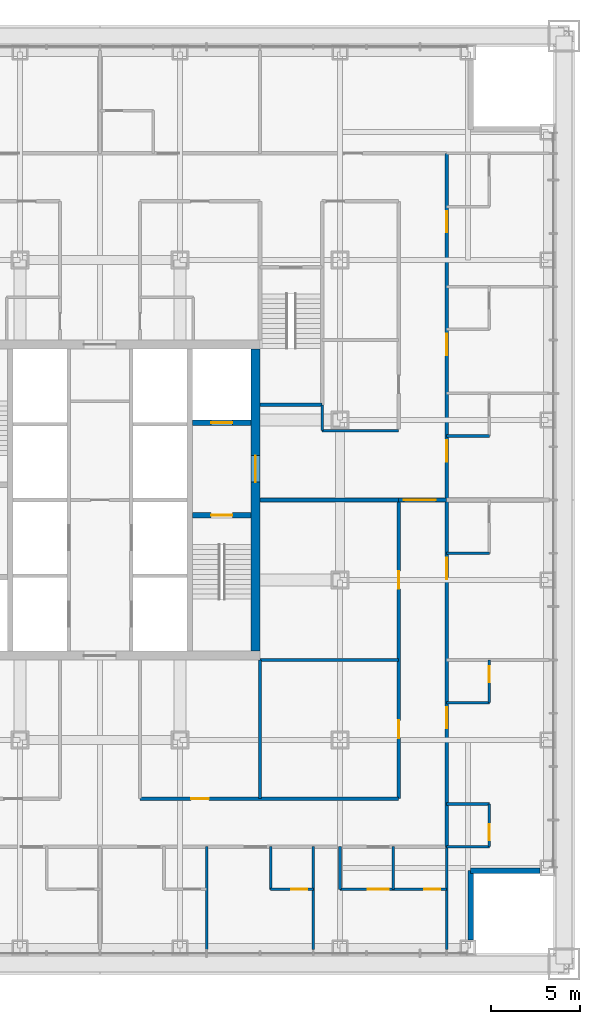
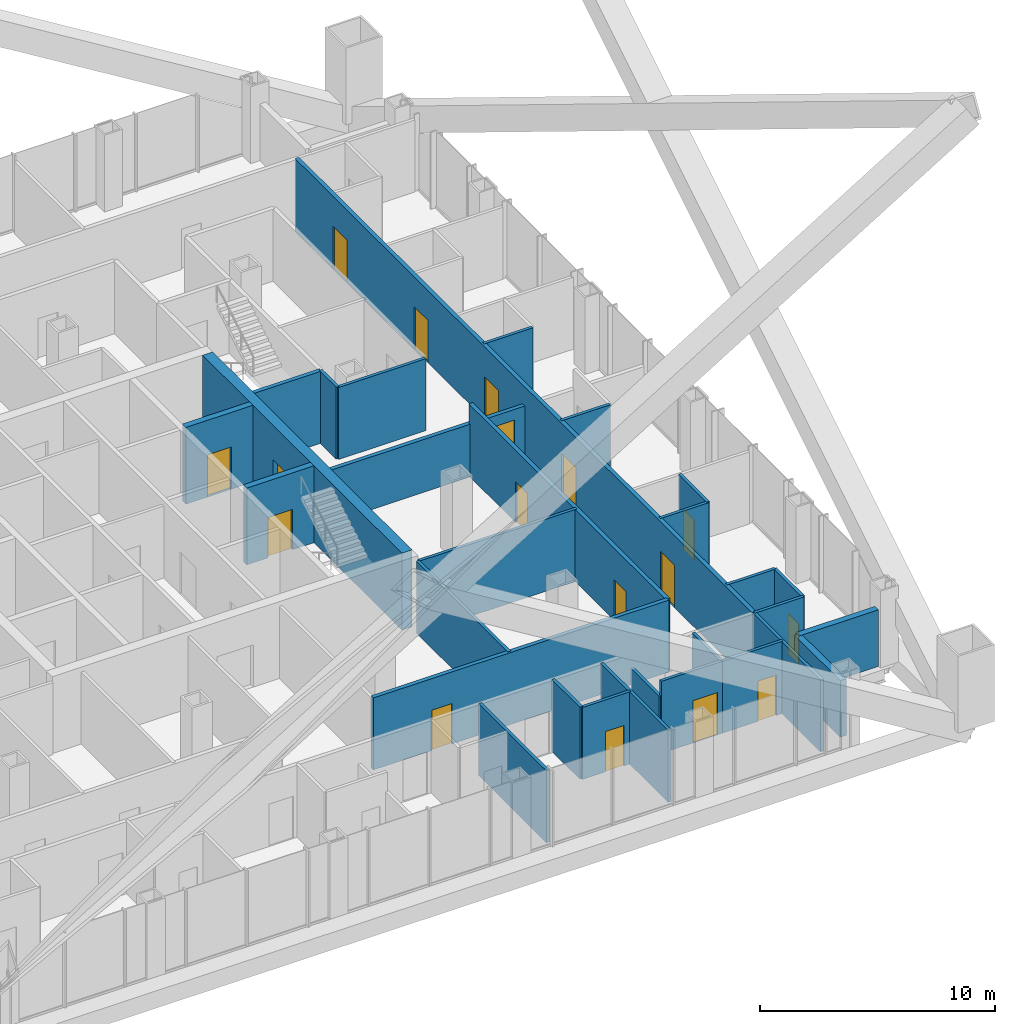
# One storey, part 14 of 21: 31 walls, 17 doors, 17 openings.
"""IFC4 building model written with IfcOpenShell, lengths in metres."""

from ifc_helpers import new_model, si_unit, direction, frame, frame_2d, origin, place, context, subcontext, project, spatial, rectangle, extrude, material, layer, layer_set, type_object, element, fill, save


model = new_model("IFC4")

# Units and contexts
model_context = context("Model", 3, precision=1e-05, world=origin(), true_north=direction((0.0, 1.0)))
body_context = subcontext(model_context, "Body", "Model", "MODEL_VIEW")
ifc_project = project(units=[si_unit("LENGTHUNIT", "METRE"), si_unit("AREAUNIT", "SQUARE_METRE"), si_unit("VOLUMEUNIT", "CUBIC_METRE"), si_unit("PLANEANGLEUNIT", "RADIAN"), si_unit("MASSUNIT", "GRAM", prefix="KILO")], contexts=[model_context])

# Site, building, storey
site_placement = place(None, origin())
site = spatial("IfcSite", under=ifc_project, at=site_placement, CompositionType="ELEMENT")
building_placement = place(site_placement, origin())
building = spatial("IfcBuilding", under=site, at=building_placement, Name="Malebo Sky Hospital", CompositionType="ELEMENT")
storey_placement = place(building_placement, frame((0.0, 0.0, 31.0)))
storey = spatial("IfcBuildingStorey", under=building, at=storey_placement, Name="L06", CompositionType="ELEMENT", Elevation=31.0)

# Wall, opening, door
ifc_material_1 = material(Name="Concrete C80/95", Category="concrete")
ifc_layer_1 = layer(ifc_material_1, 0.300048828125)
ifc_layer_set_1 = layer_set([ifc_layer_1], Name="CORE INNER WALL 300")
wall_type_1 = type_object("IfcWallType", Name="CORE INNER WALL 300", PredefinedType="SHEAR", material=ifc_layer_set_1)
wall_1_placement = place(storey_placement, frame((65.199951171875, 61.14990234375, 0.0), z_axis=(0.0, 0.0, 1.0), x_axis=(1.0, 0.0, 0.0)))
wall_1 = element("IfcWall", 1, at=wall_1_placement, inside=storey, type_object=wall_type_1, Name="Core wall E1 L06", PredefinedType="SHEAR", context=body_context, shape_type="SweptSolid", body=[
    extrude(rectangle(XDim=3.300048828125, YDim=0.300048828125, at=frame_2d((1.64990234375, 0.0))), origin(), (0.0, 0.0, 1.0), 4.0),
])
opening_1_placement = place(wall_1_placement, frame((1.050048828125, 0.0, 0.0)))
opening_1 = element("IfcOpeningElement", 2, at=opening_1_placement, cuts=wall_1, Name="Opening D08", PredefinedType="OPENING", context=body_context, shape_type="SweptSolid", body=[
    extrude(rectangle(XDim=1.199951171875, YDim=2.10009765625, at=frame_2d((0.60009765625, 1.050048828125))), frame((0.0, 0.159912109375, 0.0), z_axis=(0.0, -1.0, 0.0), x_axis=(1.0, 0.0, 0.0)), (0.0, 0.0, 1.0), 0.320068359375),
])
ifc_material_2 = material(Name="Hardwood-faced door leaf in steel frame", Category="steel")
door_type_1 = type_object("IfcDoorType", Name="STAIR DOOR 1200", OperationType="SINGLE_SWING_LEFT", PredefinedType="DOOR", material=ifc_material_2)
door_1_placement = place(opening_1_placement, origin())
door_1 = element("IfcDoor", 3, at=door_1_placement, inside=storey, type_object=door_type_1, Name="Stair S2 door", OperationType="SINGLE_SWING_LEFT", OverallHeight=2.10009765625, OverallWidth=1.199951171875, PredefinedType="DOOR", context=body_context, shape_type="SweptSolid", body=[
    extrude(rectangle(XDim=1.199951171875, YDim=2.10009765625, at=frame_2d((0.60009765625, 1.050048828125))), frame((0.0, 0.02490234375, 0.0), z_axis=(0.0, -1.0, 0.0), x_axis=(1.0, 0.0, 0.0)), (0.0, 0.0, 1.0), 0.050048828125),
])
fill(opening_1, door_1)

wall_2_placement = place(storey_placement, frame((65.199951171875, 66.35009765625, 0.0), z_axis=(0.0, 0.0, 1.0), x_axis=(1.0, 0.0, 0.0)))
wall_2 = element("IfcWall", 4, at=wall_2_placement, inside=storey, type_object=wall_type_1, Name="Core wall E2 L06", PredefinedType="SHEAR", context=body_context, shape_type="SweptSolid", body=[
    extrude(rectangle(XDim=3.300048828125, YDim=0.300048828125, at=frame_2d((1.64990234375, 0.0))), origin(), (0.0, 0.0, 1.0), 4.0),
])
opening_2_placement = place(wall_2_placement, frame((1.050048828125, 0.0, 0.0)))
opening_2 = element("IfcOpeningElement", 5, at=opening_2_placement, cuts=wall_2, Name="Opening LD2", PredefinedType="OPENING", context=body_context, shape_type="SweptSolid", body=[
    extrude(rectangle(XDim=1.199951171875, YDim=2.199951171875, at=frame_2d((0.60009765625, 1.10009765625))), frame((0.0, 0.159912109375, 0.0), z_axis=(0.0, -1.0, 0.0), x_axis=(1.0, 0.0, 0.0)), (0.0, 0.0, 1.0), 0.320068359375),
])
ifc_material_3 = material(Name="Stainless steel sliding landing door", Category="steel")
door_type_2 = type_object("IfcDoorType", Name="FIRE-FIGHTING LIFT LANDING DOOR 1200", OperationType="SLIDING_TO_LEFT", PredefinedType="DOOR", material=ifc_material_3)
door_2_placement = place(opening_2_placement, origin())
door_2 = element("IfcDoor", 6, at=door_2_placement, inside=storey, type_object=door_type_2, Name="Lift FL2 landing door", OperationType="SLIDING_TO_LEFT", OverallHeight=2.199951171875, OverallWidth=1.199951171875, PredefinedType="DOOR", context=body_context, shape_type="SweptSolid", body=[
    extrude(rectangle(XDim=1.199951171875, YDim=2.199951171875, at=frame_2d((0.60009765625, 1.10009765625))), frame((0.0, 0.02490234375, 0.0), z_axis=(0.0, -1.0, 0.0), x_axis=(1.0, 0.0, 0.0)), (0.0, 0.0, 1.0), 0.050048828125),
])
fill(opening_2, door_2)

ifc_layer_2 = layer(ifc_material_1, 0.5)
ifc_layer_set_2 = layer_set([ifc_layer_2], Name="CORE WALL 500")
wall_type_2 = type_object("IfcWallType", Name="CORE WALL 500", PredefinedType="SHEAR", material=ifc_layer_set_2)
wall_3_placement = place(storey_placement, frame((68.75, 53.5, 0.0), z_axis=(0.0, 0.0, 1.0), x_axis=(0.0, 1.0, 0.0)))
wall_3 = element("IfcWall", 7, at=wall_3_placement, inside=storey, type_object=wall_type_2, Name="Core wall E L06", PredefinedType="SHEAR", context=body_context, shape_type="SweptSolid", body=[
    extrude(rectangle(XDim=17.0, YDim=0.5, at=frame_2d((8.5, 0.0))), origin(), (0.0, 0.0, 1.0), 4.0),
])
opening_3_placement = place(wall_3_placement, frame((9.5, 0.0, 0.0)))
opening_3 = element("IfcOpeningElement", 8, at=opening_3_placement, cuts=wall_3, Name="Opening D07", PredefinedType="OPENING", context=body_context, shape_type="SweptSolid", body=[
    extrude(rectangle(XDim=1.5, YDim=2.199951171875, at=frame_2d((0.75, 1.10009765625))), frame((0.0, 0.260009765625, 0.0), z_axis=(0.0, -1.0, 0.0), x_axis=(1.0, 0.0, 0.0)), (0.0, 0.0, 1.0), 0.52001953125),
])
door_type_3 = type_object("IfcDoorType", Name="FIRE-FIGHTING LOBBY DOOR PAIR 1500", OperationType="DOUBLE_DOOR_SINGLE_SWING", PredefinedType="DOOR", material=ifc_material_2)
door_3_placement = place(opening_3_placement, origin())
door_3 = element("IfcDoor", 9, at=door_3_placement, inside=storey, type_object=door_type_3, Name="Fire-fighting lobby door east", OperationType="DOUBLE_DOOR_SINGLE_SWING", OverallHeight=2.199951171875, OverallWidth=1.5, PredefinedType="DOOR", context=body_context, shape_type="SweptSolid", body=[
    extrude(rectangle(XDim=1.5, YDim=2.199951171875, at=frame_2d((0.75, 1.10009765625))), frame((0.0, 0.02490234375, 0.0), z_axis=(0.0, -1.0, 0.0), x_axis=(1.0, 0.0, 0.0)), (0.0, 0.0, 1.0), 0.050048828125),
])
fill(opening_3, door_3)

ifc_material_4 = material(Name="Gypsum board on steel studs", Category="steel")
ifc_layer_3 = layer(ifc_material_4, 0.199951171875)
ifc_layer_set_3 = layer_set([ifc_layer_3], Name="CORRIDOR WALL 200")
wall_type_3 = type_object("IfcWallType", Name="CORRIDOR WALL 200", PredefinedType="PARTITIONING", material=ifc_layer_set_3)
wall_4_placement = place(storey_placement, frame((76.800048828125, 45.199951171875, 0.0), z_axis=(0.0, 0.0, 1.0), x_axis=(-1.0, 0.0, 0.0)))
wall_4 = element("IfcWall", 10, at=wall_4_placement, inside=storey, type_object=wall_type_3, Name="Corridor Wall 200 SCI1", PredefinedType="PARTITIONING", context=body_context, shape_type="SweptSolid", body=[
    extrude(rectangle(XDim=14.550048828125, YDim=0.199951171875, at=frame_2d((7.27490234375, 0.0))), origin(), (0.0, 0.0, 1.0), 3.75),
])
opening_4_placement = place(wall_4_placement, frame((10.675048828125, 0.0, 0.0)))
opening_4 = element("IfcOpeningElement", 11, at=opening_4_placement, cuts=wall_4, Name="Opening D03", PredefinedType="OPENING", context=body_context, shape_type="SweptSolid", body=[
    extrude(rectangle(XDim=1.0, YDim=2.10009765625, at=frame_2d((0.5, 1.050048828125))), frame((0.0, 0.10986328125, 0.0), z_axis=(0.0, -1.0, 0.0), x_axis=(1.0, 0.0, 0.0)), (0.0, 0.0, 1.0), 0.219970703125),
])
door_type_4 = type_object("IfcDoorType", Name="ROOM DOOR 1000", OperationType="SINGLE_SWING_LEFT", PredefinedType="DOOR", material=ifc_material_2)
door_4_placement = place(opening_4_placement, origin())
door_4 = element("IfcDoor", 12, at=door_4_placement, inside=storey, type_object=door_type_4, Name="Interview room door", OperationType="SINGLE_SWING_LEFT", OverallHeight=2.10009765625, OverallWidth=1.0, PredefinedType="DOOR", context=body_context, shape_type="SweptSolid", body=[
    extrude(rectangle(XDim=1.0, YDim=2.10009765625, at=frame_2d((0.5, 1.050048828125))), frame((0.0, 0.02490234375, 0.0), z_axis=(0.0, -1.0, 0.0), x_axis=(1.0, 0.0, 0.0)), (0.0, 0.0, 1.0), 0.050048828125),
])
fill(opening_4, door_4)

# Wall, openings, doors
wall_5_placement = place(storey_placement, frame((79.5, 81.5, 0.0), z_axis=(0.0, 0.0, 1.0), x_axis=(0.0, -1.0, 0.0)))
wall_5 = element("IfcWall", 13, at=wall_5_placement, inside=storey, type_object=wall_type_3, Name="Corridor Wall 200 ECO", PredefinedType="PARTITIONING", context=body_context, shape_type="SweptSolid", body=[
    extrude(rectangle(XDim=39.0, YDim=0.199951171875, at=frame_2d((19.5, 0.0))), origin(), (0.0, 0.0, 1.0), 3.75),
])
opening_5_placement = place(wall_5_placement, frame((3.25, 0.0, 0.0)))
opening_5 = element("IfcOpeningElement", 14, at=opening_5_placement, cuts=wall_5, Name="Opening D01", PredefinedType="OPENING", context=body_context, shape_type="SweptSolid", body=[
    extrude(rectangle(XDim=1.199951171875, YDim=2.199951171875, at=frame_2d((0.60009765625, 1.10009765625))), frame((0.0, 0.10986328125, 0.0), z_axis=(0.0, -1.0, 0.0), x_axis=(1.0, 0.0, 0.0)), (0.0, 0.0, 1.0), 0.219970703125),
])
opening_6_placement = place(wall_5_placement, frame((10.14990234375, 0.0, 0.0)))
opening_6 = element("IfcOpeningElement", 15, at=opening_6_placement, cuts=wall_5, Name="Opening D01", PredefinedType="OPENING", context=body_context, shape_type="SweptSolid", body=[
    extrude(rectangle(XDim=1.199951171875, YDim=2.199951171875, at=frame_2d((0.60009765625, 1.10009765625))), frame((0.0, 0.10986328125, 0.0), z_axis=(0.0, -1.0, 0.0), x_axis=(1.0, 0.0, 0.0)), (0.0, 0.0, 1.0), 0.219970703125),
])
opening_7_placement = place(wall_5_placement, frame((16.14990234375, 0.0, 0.0)))
opening_7 = element("IfcOpeningElement", 16, at=opening_7_placement, cuts=wall_5, Name="Opening D01", PredefinedType="OPENING", context=body_context, shape_type="SweptSolid", body=[
    extrude(rectangle(XDim=1.199951171875, YDim=2.199951171875, at=frame_2d((0.60009765625, 1.10009765625))), frame((0.0, 0.10986328125, 0.0), z_axis=(0.0, -1.0, 0.0), x_axis=(1.0, 0.0, 0.0)), (0.0, 0.0, 1.0), 0.219970703125),
])
opening_8_placement = place(wall_5_placement, frame((22.75, 0.0, 0.0)))
opening_8 = element("IfcOpeningElement", 17, at=opening_8_placement, cuts=wall_5, Name="Opening D01", PredefinedType="OPENING", context=body_context, shape_type="SweptSolid", body=[
    extrude(rectangle(XDim=1.199951171875, YDim=2.199951171875, at=frame_2d((0.60009765625, 1.10009765625))), frame((0.0, 0.10986328125, 0.0), z_axis=(0.0, -1.0, 0.0), x_axis=(1.0, 0.0, 0.0)), (0.0, 0.0, 1.0), 0.219970703125),
])
opening_9_placement = place(wall_5_placement, frame((31.14990234375, 0.0, 0.0)))
opening_9 = element("IfcOpeningElement", 18, at=opening_9_placement, cuts=wall_5, Name="Opening D01", PredefinedType="OPENING", context=body_context, shape_type="SweptSolid", body=[
    extrude(rectangle(XDim=1.199951171875, YDim=2.199951171875, at=frame_2d((0.60009765625, 1.10009765625))), frame((0.0, 0.10986328125, 0.0), z_axis=(0.0, -1.0, 0.0), x_axis=(1.0, 0.0, 0.0)), (0.0, 0.0, 1.0), 0.219970703125),
])
door_type_5 = type_object("IfcDoorType", Name="BED DOOR 1200", OperationType="SINGLE_SWING_LEFT", PredefinedType="DOOR", material=ifc_material_2)
door_5_placement = place(opening_5_placement, origin())
door_5 = element("IfcDoor", 19, at=door_5_placement, inside=storey, type_object=door_type_5, Name="Single bed room door", OperationType="SINGLE_SWING_LEFT", OverallHeight=2.199951171875, OverallWidth=1.199951171875, PredefinedType="DOOR", context=body_context, shape_type="SweptSolid", body=[
    extrude(rectangle(XDim=1.199951171875, YDim=2.199951171875, at=frame_2d((0.60009765625, 1.10009765625))), frame((0.0, 0.02490234375, 0.0), z_axis=(0.0, -1.0, 0.0), x_axis=(1.0, 0.0, 0.0)), (0.0, 0.0, 1.0), 0.050048828125),
])
fill(opening_5, door_5)
door_6_placement = place(opening_6_placement, origin())
door_6 = element("IfcDoor", 20, at=door_6_placement, inside=storey, type_object=door_type_5, Name="Single bed room door", OperationType="SINGLE_SWING_LEFT", OverallHeight=2.199951171875, OverallWidth=1.199951171875, PredefinedType="DOOR", context=body_context, shape_type="SweptSolid", body=[
    extrude(rectangle(XDim=1.199951171875, YDim=2.199951171875, at=frame_2d((0.60009765625, 1.10009765625))), frame((0.0, 0.02490234375, 0.0), z_axis=(0.0, -1.0, 0.0), x_axis=(1.0, 0.0, 0.0)), (0.0, 0.0, 1.0), 0.050048828125),
])
fill(opening_6, door_6)
door_7_placement = place(opening_7_placement, origin())
door_7 = element("IfcDoor", 21, at=door_7_placement, inside=storey, type_object=door_type_5, Name="Single bed room door", OperationType="SINGLE_SWING_LEFT", OverallHeight=2.199951171875, OverallWidth=1.199951171875, PredefinedType="DOOR", context=body_context, shape_type="SweptSolid", body=[
    extrude(rectangle(XDim=1.199951171875, YDim=2.199951171875, at=frame_2d((0.60009765625, 1.10009765625))), frame((0.0, 0.02490234375, 0.0), z_axis=(0.0, -1.0, 0.0), x_axis=(1.0, 0.0, 0.0)), (0.0, 0.0, 1.0), 0.050048828125),
])
fill(opening_7, door_7)
door_8_placement = place(opening_8_placement, origin())
door_8 = element("IfcDoor", 22, at=door_8_placement, inside=storey, type_object=door_type_5, Name="Two-bed room door", OperationType="SINGLE_SWING_LEFT", OverallHeight=2.199951171875, OverallWidth=1.199951171875, PredefinedType="DOOR", context=body_context, shape_type="SweptSolid", body=[
    extrude(rectangle(XDim=1.199951171875, YDim=2.199951171875, at=frame_2d((0.60009765625, 1.10009765625))), frame((0.0, 0.02490234375, 0.0), z_axis=(0.0, -1.0, 0.0), x_axis=(1.0, 0.0, 0.0)), (0.0, 0.0, 1.0), 0.050048828125),
])
fill(opening_8, door_8)
door_9_placement = place(opening_9_placement, origin())
door_9 = element("IfcDoor", 23, at=door_9_placement, inside=storey, type_object=door_type_5, Name="Four-bed bay door", OperationType="SINGLE_SWING_LEFT", OverallHeight=2.199951171875, OverallWidth=1.199951171875, PredefinedType="DOOR", context=body_context, shape_type="SweptSolid", body=[
    extrude(rectangle(XDim=1.199951171875, YDim=2.199951171875, at=frame_2d((0.60009765625, 1.10009765625))), frame((0.0, 0.02490234375, 0.0), z_axis=(0.0, -1.0, 0.0), x_axis=(1.0, 0.0, 0.0)), (0.0, 0.0, 1.0), 0.050048828125),
])
fill(opening_9, door_9)

wall_6_placement = place(storey_placement, frame((76.800048828125, 62.0, 0.0), z_axis=(0.0, 0.0, 1.0), x_axis=(0.0, -1.0, 0.0)))
wall_6 = element("IfcWall", 24, at=wall_6_placement, inside=storey, type_object=wall_type_3, Name="Corridor Wall 200 ECI2", PredefinedType="PARTITIONING", context=body_context, shape_type="SweptSolid", body=[
    extrude(rectangle(XDim=16.800048828125, YDim=0.199951171875, at=frame_2d((8.39990234375, 0.0))), origin(), (0.0, 0.0, 1.0), 3.75),
])
opening_10_placement = place(wall_6_placement, frame((4.0, 0.0, 0.0)))
opening_10 = element("IfcOpeningElement", 25, at=opening_10_placement, cuts=wall_6, Name="Opening D03", PredefinedType="OPENING", context=body_context, shape_type="SweptSolid", body=[
    extrude(rectangle(XDim=1.0, YDim=2.10009765625, at=frame_2d((0.5, 1.050048828125))), frame((0.0, 0.10986328125, 0.0), z_axis=(0.0, -1.0, 0.0), x_axis=(1.0, 0.0, 0.0)), (0.0, 0.0, 1.0), 0.219970703125),
])
opening_11_placement = place(wall_6_placement, frame((12.39990234375, 0.0, 0.0)))
opening_11 = element("IfcOpeningElement", 26, at=opening_11_placement, cuts=wall_6, Name="Opening D03", PredefinedType="OPENING", context=body_context, shape_type="SweptSolid", body=[
    extrude(rectangle(XDim=1.0, YDim=2.10009765625, at=frame_2d((0.5, 1.050048828125))), frame((0.0, 0.10986328125, 0.0), z_axis=(0.0, -1.0, 0.0), x_axis=(1.0, 0.0, 0.0)), (0.0, 0.0, 1.0), 0.219970703125),
])
door_10_placement = place(opening_10_placement, origin())
door_10 = element("IfcDoor", 27, at=door_10_placement, inside=storey, type_object=door_type_4, Name="Staff rest room door", OperationType="SINGLE_SWING_LEFT", OverallHeight=2.10009765625, OverallWidth=1.0, PredefinedType="DOOR", context=body_context, shape_type="SweptSolid", body=[
    extrude(rectangle(XDim=1.0, YDim=2.10009765625, at=frame_2d((0.5, 1.050048828125))), frame((0.0, 0.02490234375, 0.0), z_axis=(0.0, -1.0, 0.0), x_axis=(1.0, 0.0, 0.0)), (0.0, 0.0, 1.0), 0.050048828125),
])
fill(opening_10, door_10)
door_11_placement = place(opening_11_placement, origin())
door_11 = element("IfcDoor", 28, at=door_11_placement, inside=storey, type_object=door_type_4, Name="Staff base door", OperationType="SINGLE_SWING_RIGHT", OverallHeight=2.10009765625, OverallWidth=1.0, PredefinedType="DOOR", context=body_context, shape_type="SweptSolid", body=[
    extrude(rectangle(XDim=1.0, YDim=2.10009765625, at=frame_2d((0.5, 1.050048828125))), frame((0.0, 0.02490234375, 0.0), z_axis=(0.0, -1.0, 0.0), x_axis=(1.0, 0.0, 0.0)), (0.0, 0.0, 1.0), 0.050048828125),
])
fill(opening_11, door_11)

# Walls
ifc_material_5 = material(Name="Anodised aluminium rainscreen on steel framing", Category="steel")
ifc_layer_4 = layer(ifc_material_5, 0.300048828125)
ifc_layer_set_4 = layer_set([ifc_layer_4], Name="NOTCH RAINSCREEN WALL 300")
wall_type_4 = type_object("IfcWallType", Name="NOTCH RAINSCREEN WALL 300", PredefinedType="ELEMENTEDWALL", material=ifc_layer_set_4)
for number, where, z_axis, x_axis, name in (
    (29, (84.75, 41.14990234375, 0.0), (0.0, 0.0, 1.0), (-1.0, 0.0, 0.0), "Notch rainscreen wall E1 L06"),
    (30, (80.85009765625, 41.14990234375, 0.0), (0.0, 0.0, 1.0), (0.0, -1.0, 0.0), "Notch rainscreen wall E2 L06"),
):
    element("IfcWall", number, at=place(storey_placement, frame(where, z_axis=z_axis, x_axis=x_axis)), inside=storey, type_object=wall_type_4, Name=name, PredefinedType="ELEMENTEDWALL", context=body_context, shape_type="SweptSolid", body=[
        extrude(rectangle(XDim=3.89990234375, YDim=0.300048828125, at=frame_2d((1.949951171875, 0.0))), origin(), (0.0, 0.0, 1.0), 2.949951171875),
    ])
ifc_layer_5 = layer(ifc_material_4, 0.14990234375)
ifc_layer_set_5 = layer_set([ifc_layer_5], Name="PARTITION 150")
wall_type_5 = type_object("IfcWallType", Name="PARTITION 150", PredefinedType="PARTITIONING", material=ifc_layer_set_5)
for number, where, z_axis, x_axis, name in (
    (31, (72.0, 42.5, 0.0), (0.0, 0.0, 1.0), (0.0, -1.0, 0.0), "Partition 150 SP-12.0"),
    (32, (66.0, 42.5, 0.0), (0.0, 0.0, 1.0), (0.0, -1.0, 0.0), "Partition 150 SP-6.0"),
    (33, (79.5, 42.5, 0.0), (0.0, 0.0, 1.0), (0.0, -1.0, 0.0), "Partition 150 SP0"),
):
    element("IfcWall", number, at=place(storey_placement, frame(where, z_axis=z_axis, x_axis=x_axis)), inside=storey, type_object=wall_type_5, Name=name, PredefinedType="PARTITIONING", context=body_context, shape_type="SweptSolid", body=[
        extrude(rectangle(XDim=5.77490234375, YDim=0.14990234375, at=frame_2d((2.887451171875, 0.0))), origin(), (0.0, 0.0, 1.0), 3.75),
    ])

# Wall, opening, door
wall_7_placement = place(storey_placement, frame((79.5, 40.10009765625, 0.0), z_axis=(0.0, 0.0, 1.0), x_axis=(-1.0, 0.0, 0.0)))
wall_7 = element("IfcWall", 34, at=wall_7_placement, inside=storey, type_object=wall_type_5, Name="Partition 150 SE0F", PredefinedType="PARTITIONING", context=body_context, shape_type="SweptSolid", body=[
    extrude(rectangle(XDim=3.0, YDim=0.14990234375, at=frame_2d((1.5, 0.0))), origin(), (0.0, 0.0, 1.0), 3.75),
])
opening_12_placement = place(wall_7_placement, frame((0.35009765625, 0.0, 0.0)))
opening_12 = element("IfcOpeningElement", 35, at=opening_12_placement, cuts=wall_7, Name="Opening D02", PredefinedType="OPENING", context=body_context, shape_type="SweptSolid", body=[
    extrude(rectangle(XDim=0.89990234375, YDim=2.10009765625, at=frame_2d((0.449951171875, 1.050048828125))), frame((0.0, 0.0849609375, 0.0), z_axis=(0.0, -1.0, 0.0), x_axis=(1.0, 0.0, 0.0)), (0.0, 0.0, 1.0), 0.169921875),
])
door_type_6 = type_object("IfcDoorType", Name="EN-SUITE DOOR 900", OperationType="SINGLE_SWING_LEFT", PredefinedType="DOOR", material=ifc_material_2)
door_12_placement = place(opening_12_placement, origin())
door_12 = element("IfcDoor", 36, at=door_12_placement, inside=storey, type_object=door_type_6, Name="En-suite door", OperationType="SINGLE_SWING_LEFT", OverallHeight=2.10009765625, OverallWidth=0.89990234375, PredefinedType="DOOR", context=body_context, shape_type="SweptSolid", body=[
    extrude(rectangle(XDim=0.89990234375, YDim=2.10009765625, at=frame_2d((0.449951171875, 1.050048828125))), frame((0.0, 0.02490234375, 0.0), z_axis=(0.0, -1.0, 0.0), x_axis=(1.0, 0.0, 0.0)), (0.0, 0.0, 1.0), 0.050048828125),
])
fill(opening_12, door_12)

# Wall
wall_8_placement = place(storey_placement, frame((76.5, 42.5, 0.0), z_axis=(0.0, 0.0, 1.0), x_axis=(0.0, -1.0, 0.0)))
element("IfcWall", 37, at=wall_8_placement, inside=storey, type_object=wall_type_5, Name="Partition 150 SE0S", PredefinedType="PARTITIONING", context=body_context, shape_type="SweptSolid", body=[
    extrude(rectangle(XDim=2.39990234375, YDim=0.14990234375, at=frame_2d((1.199951171875, 0.0))), origin(), (0.0, 0.0, 1.0), 3.75),
])

# Wall, opening, door
wall_9_placement = place(storey_placement, frame((72.0, 40.10009765625, 0.0), z_axis=(0.0, 0.0, 1.0), x_axis=(-1.0, 0.0, 0.0)))
wall_9 = element("IfcWall", 38, at=wall_9_placement, inside=storey, type_object=wall_type_5, Name="Partition 150 SE1F", PredefinedType="PARTITIONING", context=body_context, shape_type="SweptSolid", body=[
    extrude(rectangle(XDim=2.39990234375, YDim=0.14990234375, at=frame_2d((1.199951171875, 0.0))), origin(), (0.0, 0.0, 1.0), 3.75),
])
opening_13_placement = place(wall_9_placement, frame((0.35009765625, 0.0, 0.0)))
opening_13 = element("IfcOpeningElement", 39, at=opening_13_placement, cuts=wall_9, Name="Opening D02", PredefinedType="OPENING", context=body_context, shape_type="SweptSolid", body=[
    extrude(rectangle(XDim=0.89990234375, YDim=2.10009765625, at=frame_2d((0.449951171875, 1.050048828125))), frame((0.0, 0.0849609375, 0.0), z_axis=(0.0, -1.0, 0.0), x_axis=(1.0, 0.0, 0.0)), (0.0, 0.0, 1.0), 0.169921875),
])
door_13_placement = place(opening_13_placement, origin())
door_13 = element("IfcDoor", 40, at=door_13_placement, inside=storey, type_object=door_type_6, Name="En-suite door", OperationType="SINGLE_SWING_LEFT", OverallHeight=2.10009765625, OverallWidth=0.89990234375, PredefinedType="DOOR", context=body_context, shape_type="SweptSolid", body=[
    extrude(rectangle(XDim=0.89990234375, YDim=2.10009765625, at=frame_2d((0.449951171875, 1.050048828125))), frame((0.0, 0.02490234375, 0.0), z_axis=(0.0, -1.0, 0.0), x_axis=(1.0, 0.0, 0.0)), (0.0, 0.0, 1.0), 0.050048828125),
])
fill(opening_13, door_13)

# Walls
wall_10_placement = place(storey_placement, frame((69.60009765625, 42.5, 0.0), z_axis=(0.0, 0.0, 1.0), x_axis=(0.0, -1.0, 0.0)))
element("IfcWall", 41, at=wall_10_placement, inside=storey, type_object=wall_type_5, Name="Partition 150 SE1S", PredefinedType="PARTITIONING", context=body_context, shape_type="SweptSolid", body=[
    extrude(rectangle(XDim=2.39990234375, YDim=0.14990234375, at=frame_2d((1.199951171875, 0.0))), origin(), (0.0, 0.0, 1.0), 3.75),
])
wall_11_placement = place(storey_placement, frame((69.0, 53.0, 0.0), z_axis=(0.0, 0.0, 1.0), x_axis=(0.0, -1.0, 0.0)))
element("IfcWall", 42, at=wall_11_placement, inside=storey, type_object=wall_type_5, Name="Partition 150 SSP0", PredefinedType="PARTITIONING", context=body_context, shape_type="SweptSolid", body=[
    extrude(rectangle(XDim=7.800048828125, YDim=0.14990234375, at=frame_2d((3.89990234375, 0.0))), origin(), (0.0, 0.0, 1.0), 3.75),
])
for number, where, z_axis, x_axis, name in (
    (43, (79.5, 65.60009765625, 0.0), (0.0, 0.0, 1.0), (1.0, 0.0, 0.0), "Partition 150 EE2S"),
    (44, (79.5, 59.0, 0.0), (0.0, 0.0, 1.0), (1.0, 0.0, 0.0), "Partition 150 EE3S"),
):
    element("IfcWall", number, at=place(storey_placement, frame(where, z_axis=z_axis, x_axis=x_axis)), inside=storey, type_object=wall_type_5, Name=name, PredefinedType="PARTITIONING", context=body_context, shape_type="SweptSolid", body=[
        extrude(rectangle(XDim=2.39990234375, YDim=0.14990234375, at=frame_2d((1.199951171875, 0.0))), origin(), (0.0, 0.0, 1.0), 3.75),
    ])

# Wall, opening, door
wall_12_placement = place(storey_placement, frame((81.89990234375, 53.0, 0.0), z_axis=(0.0, 0.0, 1.0), x_axis=(0.0, -1.0, 0.0)))
wall_12 = element("IfcWall", 45, at=wall_12_placement, inside=storey, type_object=wall_type_5, Name="Partition 150 EE4F", PredefinedType="PARTITIONING", context=body_context, shape_type="SweptSolid", body=[
    extrude(rectangle(XDim=2.39990234375, YDim=0.14990234375, at=frame_2d((1.199951171875, 0.0))), origin(), (0.0, 0.0, 1.0), 3.75),
])
opening_14_placement = place(wall_12_placement, frame((0.35009765625, 0.0, 0.0)))
opening_14 = element("IfcOpeningElement", 46, at=opening_14_placement, cuts=wall_12, Name="Opening D02", PredefinedType="OPENING", context=body_context, shape_type="SweptSolid", body=[
    extrude(rectangle(XDim=0.89990234375, YDim=2.10009765625, at=frame_2d((0.449951171875, 1.050048828125))), frame((0.0, 0.0849609375, 0.0), z_axis=(0.0, -1.0, 0.0), x_axis=(1.0, 0.0, 0.0)), (0.0, 0.0, 1.0), 0.169921875),
])
door_14_placement = place(opening_14_placement, origin())
door_14 = element("IfcDoor", 47, at=door_14_placement, inside=storey, type_object=door_type_6, Name="En-suite door", OperationType="SINGLE_SWING_LEFT", OverallHeight=2.10009765625, OverallWidth=0.89990234375, PredefinedType="DOOR", context=body_context, shape_type="SweptSolid", body=[
    extrude(rectangle(XDim=0.89990234375, YDim=2.10009765625, at=frame_2d((0.449951171875, 1.050048828125))), frame((0.0, 0.02490234375, 0.0), z_axis=(0.0, -1.0, 0.0), x_axis=(1.0, 0.0, 0.0)), (0.0, 0.0, 1.0), 0.050048828125),
])
fill(opening_14, door_14)

# Wall
wall_13_placement = place(storey_placement, frame((79.5, 50.60009765625, 0.0), z_axis=(0.0, 0.0, 1.0), x_axis=(1.0, 0.0, 0.0)))
element("IfcWall", 48, at=wall_13_placement, inside=storey, type_object=wall_type_5, Name="Partition 150 EE4S", PredefinedType="PARTITIONING", context=body_context, shape_type="SweptSolid", body=[
    extrude(rectangle(XDim=2.39990234375, YDim=0.14990234375, at=frame_2d((1.199951171875, 0.0))), origin(), (0.0, 0.0, 1.0), 3.75),
])

# Wall, opening, door
wall_14_placement = place(storey_placement, frame((81.89990234375, 44.89990234375, 0.0), z_axis=(0.0, 0.0, 1.0), x_axis=(0.0, -1.0, 0.0)))
wall_14 = element("IfcWall", 49, at=wall_14_placement, inside=storey, type_object=wall_type_5, Name="Partition 150 EG4F", PredefinedType="PARTITIONING", context=body_context, shape_type="SweptSolid", body=[
    extrude(rectangle(XDim=2.39990234375, YDim=0.14990234375, at=frame_2d((1.199951171875, 0.0))), origin(), (0.0, 0.0, 1.0), 3.75),
])
opening_15_placement = place(wall_14_placement, frame((1.14990234375, 0.0, 0.0)))
opening_15 = element("IfcOpeningElement", 50, at=opening_15_placement, cuts=wall_14, Name="Opening D02", PredefinedType="OPENING", context=body_context, shape_type="SweptSolid", body=[
    extrude(rectangle(XDim=0.89990234375, YDim=2.10009765625, at=frame_2d((0.449951171875, 1.050048828125))), frame((0.0, 0.0849609375, 0.0), z_axis=(0.0, -1.0, 0.0), x_axis=(1.0, 0.0, 0.0)), (0.0, 0.0, 1.0), 0.169921875),
])
door_15_placement = place(opening_15_placement, origin())
door_15 = element("IfcDoor", 51, at=door_15_placement, inside=storey, type_object=door_type_6, Name="En-suite door", OperationType="SINGLE_SWING_RIGHT", OverallHeight=2.10009765625, OverallWidth=0.89990234375, PredefinedType="DOOR", context=body_context, shape_type="SweptSolid", body=[
    extrude(rectangle(XDim=0.89990234375, YDim=2.10009765625, at=frame_2d((0.449951171875, 1.050048828125))), frame((0.0, 0.02490234375, 0.0), z_axis=(0.0, -1.0, 0.0), x_axis=(1.0, 0.0, 0.0)), (0.0, 0.0, 1.0), 0.050048828125),
])
fill(opening_15, door_15)

# Walls
for number, where, z_axis, x_axis, name in (
    (52, (79.5, 44.89990234375, 0.0), (0.0, 0.0, 1.0), (1.0, 0.0, 0.0), "Partition 150 EG4S"),
    (53, (79.5, 42.5, 0.0), (0.0, 0.0, 1.0), (1.0, 0.0, 0.0), "Partition 150 EEZ"),
):
    element("IfcWall", number, at=place(storey_placement, frame(where, z_axis=z_axis, x_axis=x_axis)), inside=storey, type_object=wall_type_5, Name=name, PredefinedType="PARTITIONING", context=body_context, shape_type="SweptSolid", body=[
        extrude(rectangle(XDim=2.39990234375, YDim=0.14990234375, at=frame_2d((1.199951171875, 0.0))), origin(), (0.0, 0.0, 1.0), 3.75),
    ])
wall_15_placement = place(storey_placement, frame((72.5, 65.89990234375, 0.0), z_axis=(0.0, 0.0, 1.0), x_axis=(1.0, 0.0, 0.0)))
element("IfcWall", 54, at=wall_15_placement, inside=storey, type_object=wall_type_5, Name="Partition 150 ESPA", PredefinedType="PARTITIONING", context=body_context, shape_type="SweptSolid", body=[
    extrude(rectangle(XDim=4.300048828125, YDim=0.14990234375, at=frame_2d((2.14990234375, 0.0))), origin(), (0.0, 0.0, 1.0), 3.75),
])
wall_16_placement = place(storey_placement, frame((69.0, 53.0, 0.0), z_axis=(0.0, 0.0, 1.0), x_axis=(1.0, 0.0, 0.0)))
element("IfcWall", 55, at=wall_16_placement, inside=storey, type_object=wall_type_5, Name="Partition 150 ESP+9.0", PredefinedType="PARTITIONING", context=body_context, shape_type="SweptSolid", body=[
    extrude(rectangle(XDim=7.800048828125, YDim=0.14990234375, at=frame_2d((3.89990234375, 0.0))), origin(), (0.0, 0.0, 1.0), 3.75),
])
wall_17_placement = place(storey_placement, frame((72.5, 65.89990234375, 0.0), z_axis=(0.0, 0.0, 1.0), x_axis=(0.0, 1.0, 0.0)))
element("IfcWall", 56, at=wall_17_placement, inside=storey, type_object=wall_type_5, Name="Partition 150 ST3C", PredefinedType="PARTITIONING", context=body_context, shape_type="SweptSolid", body=[
    extrude(rectangle(XDim=1.4501953125, YDim=0.14990234375, at=frame_2d((0.72509765625, 0.0))), origin(), (0.0, 0.0, 1.0), 3.75),
])

# Wall, opening, door
ifc_material_6 = material(Name="Sealed gypsum board on steel studs, taped to the slab", Category="steel")
ifc_layer_6 = layer(ifc_material_6, 0.14990234375)
ifc_layer_set_6 = layer_set([ifc_layer_6], Name="SEALED ISOLATION PARTITION 150")
wall_type_6 = type_object("IfcWallType", Name="SEALED ISOLATION PARTITION 150", PredefinedType="PARTITIONING", material=ifc_layer_set_6)
wall_18_placement = place(storey_placement, frame((76.5, 40.10009765625, 0.0), z_axis=(0.0, 0.0, 1.0), x_axis=(-1.0, 0.0, 0.0)))
wall_18 = element("IfcWall", 57, at=wall_18_placement, inside=storey, type_object=wall_type_6, Name="Sealed Isolation Partition 150 SA0F", PredefinedType="PARTITIONING", context=body_context, shape_type="SweptSolid", body=[
    extrude(rectangle(XDim=3.0, YDim=0.14990234375, at=frame_2d((1.5, 0.0))), origin(), (0.0, 0.0, 1.0), 3.75),
])
opening_16_placement = place(wall_18_placement, frame((0.25, 0.0, 0.0)))
opening_16 = element("IfcOpeningElement", 58, at=opening_16_placement, cuts=wall_18, Name="Opening D19", PredefinedType="OPENING", context=body_context, shape_type="SweptSolid", body=[
    extrude(rectangle(XDim=1.199951171875, YDim=2.199951171875, at=frame_2d((0.60009765625, 1.10009765625))), frame((0.0, 0.0849609375, 0.0), z_axis=(0.0, -1.0, 0.0), x_axis=(1.0, 0.0, 0.0)), (0.0, 0.0, 1.0), 0.169921875),
])
ifc_material_7 = material(Name="Hardwood-faced door leaf with perimeter seals in steel frame", Category="steel")
door_type_7 = type_object("IfcDoorType", Name="SEALED ISOLATION ROOM DOOR 1200", OperationType="SINGLE_SWING_LEFT", PredefinedType="DOOR", material=ifc_material_7)
door_16_placement = place(opening_16_placement, origin())
door_16 = element("IfcDoor", 59, at=door_16_placement, inside=storey, type_object=door_type_7, Name="Isolation room door", OperationType="SINGLE_SWING_LEFT", OverallHeight=2.199951171875, OverallWidth=1.199951171875, PredefinedType="DOOR", context=body_context, shape_type="SweptSolid", body=[
    extrude(rectangle(XDim=1.199951171875, YDim=2.199951171875, at=frame_2d((0.60009765625, 1.10009765625))), frame((0.0, 0.02490234375, 0.0), z_axis=(0.0, -1.0, 0.0), x_axis=(1.0, 0.0, 0.0)), (0.0, 0.0, 1.0), 0.050048828125),
])
fill(opening_16, door_16)

# Walls
wall_19_placement = place(storey_placement, frame((73.5, 42.5, 0.0), z_axis=(0.0, 0.0, 1.0), x_axis=(0.0, -1.0, 0.0)))
element("IfcWall", 60, at=wall_19_placement, inside=storey, type_object=wall_type_6, Name="Sealed Isolation Partition 150 SA0S", PredefinedType="PARTITIONING", context=body_context, shape_type="SweptSolid", body=[
    extrude(rectangle(XDim=2.39990234375, YDim=0.14990234375, at=frame_2d((1.199951171875, 0.0))), origin(), (0.0, 0.0, 1.0), 2.949951171875),
])
ifc_material_8 = material(Name="Concrete blockwork", Category="masonry")
ifc_layer_7 = layer(ifc_material_8, 0.199951171875)
ifc_layer_set_7 = layer_set([ifc_layer_7], Name="SMOKE BARRIER WALL 200")
wall_type_7 = type_object("IfcWallType", Name="SMOKE BARRIER WALL 200", PredefinedType="SOLIDWALL", material=ifc_layer_set_7)
wall_20_placement = place(storey_placement, frame((69.0, 62.0, 0.0), z_axis=(0.0, 0.0, 1.0), x_axis=(1.0, 0.0, 0.0)))
element("IfcWall", 61, at=wall_20_placement, inside=storey, type_object=wall_type_7, Name="Smoke Barrier Wall 200 ESPB", PredefinedType="SOLIDWALL", context=body_context, shape_type="SweptSolid", body=[
    extrude(rectangle(XDim=7.800048828125, YDim=0.199951171875, at=frame_2d((3.89990234375, 0.0))), origin(), (0.0, 0.0, 1.0), 2.75),
])

# Wall, opening, door
wall_21_placement = place(storey_placement, frame((76.800048828125, 62.0, 0.0), z_axis=(0.0, 0.0, 1.0), x_axis=(1.0, 0.0, 0.0)))
wall_21 = element("IfcWall", 62, at=wall_21_placement, inside=storey, type_object=wall_type_7, Name="Smoke Barrier Wall 200 ESB", PredefinedType="SOLIDWALL", context=body_context, shape_type="SweptSolid", body=[
    extrude(rectangle(XDim=2.699951171875, YDim=0.199951171875, at=frame_2d((1.35009765625, 0.0))), origin(), (0.0, 0.0, 1.0), 2.75),
])
opening_17_placement = place(wall_21_placement, frame((0.300048828125, 0.0, 0.0)))
opening_17 = element("IfcOpeningElement", 63, at=opening_17_placement, cuts=wall_21, Name="Opening D05", PredefinedType="OPENING", context=body_context, shape_type="SweptSolid", body=[
    extrude(rectangle(XDim=1.800048828125, YDim=2.199951171875, at=frame_2d((0.89990234375, 1.10009765625))), frame((0.0, 0.10986328125, 0.0), z_axis=(0.0, -1.0, 0.0), x_axis=(1.0, 0.0, 0.0)), (0.0, 0.0, 1.0), 0.219970703125),
])
door_type_8 = type_object("IfcDoorType", Name="SMOKE DOOR PAIR 1800", OperationType="DOUBLE_DOOR_DOUBLE_SWING", PredefinedType="DOOR", material=ifc_material_2)
door_17_placement = place(opening_17_placement, origin())
door_17 = element("IfcDoor", 64, at=door_17_placement, inside=storey, type_object=door_type_8, Name="Smoke compartment door pair", OperationType="DOUBLE_DOOR_DOUBLE_SWING", OverallHeight=2.199951171875, OverallWidth=1.800048828125, PredefinedType="DOOR", context=body_context, shape_type="SweptSolid", body=[
    extrude(rectangle(XDim=1.800048828125, YDim=2.199951171875, at=frame_2d((0.89990234375, 1.10009765625))), frame((0.0, 0.02490234375, 0.0), z_axis=(0.0, -1.0, 0.0), x_axis=(1.0, 0.0, 0.0)), (0.0, 0.0, 1.0), 0.050048828125),
])
fill(opening_17, door_17)

# Wall
ifc_material_9 = material(Name="Concrete C40/50", Category="concrete")
ifc_layer_8 = layer(ifc_material_9, 0.199951171875)
ifc_layer_set_8 = layer_set([ifc_layer_8], Name="STAIR ENCLOSURE WALL 200")
wall_type_8 = type_object("IfcWallType", Name="STAIR ENCLOSURE WALL 200", PredefinedType="SOLIDWALL", material=ifc_layer_set_8)
wall_22_placement = place(storey_placement, frame((69.0, 67.35009765625, 0.0), z_axis=(0.0, 0.0, 1.0), x_axis=(1.0, 0.0, 0.0)))
element("IfcWall", 65, at=wall_22_placement, inside=storey, type_object=wall_type_8, Name="Stair Enclosure Wall 200 ST3S", PredefinedType="SOLIDWALL", context=body_context, shape_type="SweptSolid", body=[
    extrude(rectangle(XDim=3.5, YDim=0.199951171875, at=frame_2d((1.75, 0.0))), origin(), (0.0, 0.0, 1.0), 3.75),
])

save(model, "model.ifc")
